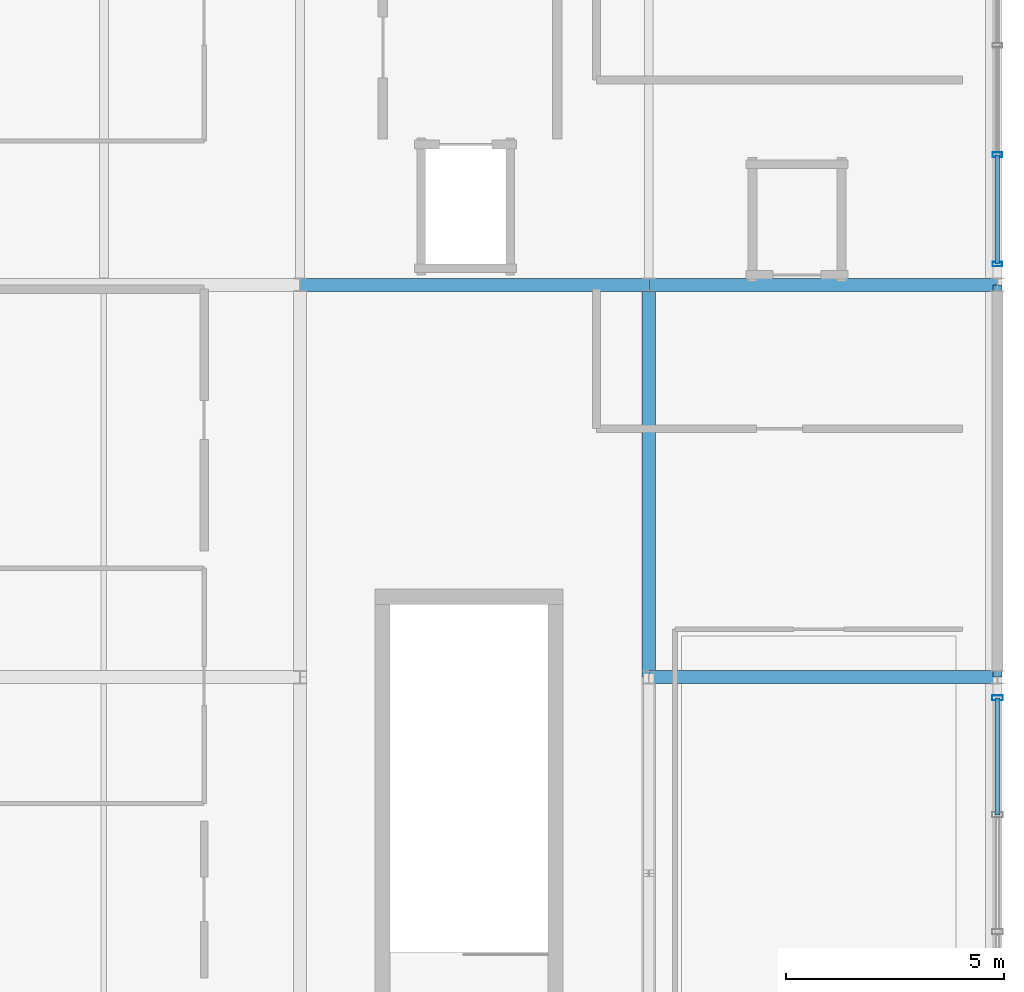
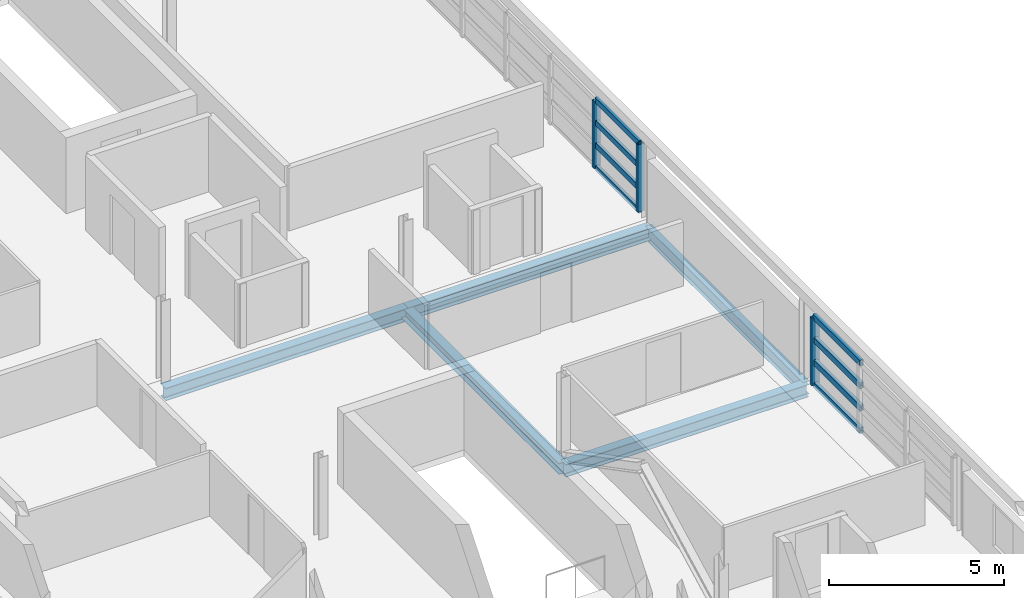
# One storey, part 11 of 27: 11 members, 5 beams, 2 elements without a shape of their own.
"""IFC4 building model written with IfcOpenShell, lengths in metres."""

from ifc_helpers import new_model, si_unit, direction, frame, origin, origin_2d, place, context, subcontext, project, spatial, hollow_rectangle, i_section, extrude, material, material_profile, profile_set, type_object, element, aggregate, save


model = new_model("IFC4")

# Units and contexts
model_context = context("Model", 3, precision=1e-05, world=origin(), true_north=direction((0.0, 1.0)))
body_context = subcontext(model_context, "Body", "Model", "MODEL_VIEW")
ifc_project = project(units=[si_unit("LENGTHUNIT", "METRE"), si_unit("AREAUNIT", "SQUARE_METRE"), si_unit("VOLUMEUNIT", "CUBIC_METRE"), si_unit("PLANEANGLEUNIT", "RADIAN"), si_unit("MASSUNIT", "GRAM", prefix="KILO")], contexts=[model_context])

# Site, building, storey
site_placement = place(None, origin())
site = spatial("IfcSite", under=ifc_project, at=site_placement, CompositionType="ELEMENT")
building_placement = place(site_placement, origin())
building = spatial("IfcBuilding", under=site, at=building_placement, Name="Chuanluo Vaults Station", CompositionType="ELEMENT")
storey_placement = place(building_placement, frame((0.0, 0.0, 20.800048828125)))
storey = spatial("IfcBuildingStorey", under=building, at=storey_placement, Name="L05", CompositionType="ELEMENT", Elevation=20.800048828125)

# Beams
ifc_material_1 = material(Name="Steel Q355C", Category="steel")
ifc_material_profile_1 = material_profile(ifc_material_1, i_section(OverallWidth=0.300048828125, OverallDepth=0.389892578125, WebThickness=0.010009765625, FlangeThickness=0.01611328125, FilletRadius=0.02001953125, at=origin_2d()))
ifc_profile_set_1 = profile_set([ifc_material_profile_1], Name="Steel Q355C")
beam_type_1 = type_object("IfcBeamType", Name="BM-GRD-400", PredefinedType="BEAM", material=ifc_profile_set_1)
beam_1_placement = place(storey_placement, frame((180.0, 94.5, -0.4150390625), z_axis=(0.0, 1.0, 0.0), x_axis=(-1.0, 0.0, 0.0)))
element("IfcBeam", 1, at=beam_1_placement, inside=storey, type_object=beam_type_1, Name="Floor girder BM:GY:L05:1008", PredefinedType="BEAM", context=body_context, shape_type="SweptSolid", body=[
    extrude(i_section(OverallWidth=0.300048828125, OverallDepth=0.389892578125, WebThickness=0.010009765625, FlangeThickness=0.01611328125, FilletRadius=0.02001953125, at=origin_2d()), origin(), (0.0, 0.0, 1.0), 9.0),
])
ifc_material_2 = material(Name="Steel Q355C", Category="steel")
ifc_material_profile_2 = material_profile(ifc_material_2, i_section(OverallWidth=0.300048828125, OverallDepth=0.43994140625, WebThickness=0.010986328125, FlangeThickness=0.01806640625, FilletRadius=0.02001953125, at=origin_2d()))
ifc_profile_set_2 = profile_set([ifc_material_profile_2], Name="Steel Q355C")
beam_type_2 = type_object("IfcBeamType", Name="BM-GRD-450", PredefinedType="USERDEFINED", material=ifc_profile_set_2)
for number, where, z_axis, x_axis, name in (
    (2, (180.0, 94.5, -0.43994140625), (1.0, 0.0, 0.0), (0.0, 1.0, 0.0), "Floor girder BM:GX:L05:0964"),
    (3, (172.0, 103.5, -0.43994140625), (1.0, 0.0, 0.0), (0.0, 1.0, 0.0), "Floor girder BM:GX:L05:0970"),
    (4, (180.0, 103.5, -0.43994140625), (1.0, 0.0, 0.0), (0.0, 1.0, 0.0), "Floor girder BM:GX:L05:0971"),
):
    element("IfcBeam", number, at=place(storey_placement, frame(where, z_axis=z_axis, x_axis=x_axis)), inside=storey, type_object=beam_type_2, Name=name, ObjectType="GIRDER", PredefinedType="USERDEFINED", context=body_context, shape_type="SweptSolid", body=[
        extrude(i_section(OverallWidth=0.300048828125, OverallDepth=0.43994140625, WebThickness=0.010986328125, FlangeThickness=0.01806640625, FilletRadius=0.02001953125, at=origin_2d()), origin(), (0.0, 0.0, 1.0), 8.0),
    ])
ifc_material_3 = material(Name="Steel Q355C", Category="steel")
ifc_material_profile_3 = material_profile(ifc_material_3, i_section(OverallWidth=0.205078125, OverallDepth=0.4599609375, WebThickness=0.009033203125, FlangeThickness=0.013916015625, FilletRadius=0.01611328125, at=origin_2d()))
ifc_profile_set_3 = profile_set([ifc_material_profile_3], Name="Steel Q355C")
beam_type_3 = type_object("IfcBeamType", Name="BM-SPN-450", PredefinedType="SPANDREL", material=ifc_profile_set_3)
beam_2_placement = place(storey_placement, frame((188.0, 94.5, -0.449951171875), z_axis=(0.0, 1.0, 0.0), x_axis=(-1.0, 0.0, 0.0)))
element("IfcBeam", 5, at=beam_2_placement, inside=storey, type_object=beam_type_3, Name="Floor girder BM:GY:L05:1013", PredefinedType="SPANDREL", context=body_context, shape_type="SweptSolid", body=[
    extrude(i_section(OverallWidth=0.205078125, OverallDepth=0.4599609375, WebThickness=0.009033203125, FlangeThickness=0.013916015625, FilletRadius=0.01611328125, at=origin_2d()), origin(), (0.0, 0.0, 1.0), 9.0),
])

# Curtain wall, members
ifc_material_4 = material(Name="Anodised aluminium 6063-T6", Category="aluminium")
curtain_wall_type_1 = type_object("IfcCurtainWallType", Name="CW-SYS-04", PredefinedType="NOTDEFINED", material=ifc_material_4)
curtain_wall_1_placement = place(storey_placement, origin())
curtain_wall_1 = element("IfcCurtainWall", 6, at=curtain_wall_1_placement, inside=storey, type_object=curtain_wall_type_1, Name="Operations L05 facade CW", PredefinedType="NOTDEFINED")
ifc_material_5 = material(Name="Anodised aluminium 6063-T6", Category="aluminium")
ifc_material_profile_4 = material_profile(ifc_material_5, hollow_rectangle(XDim=0.10498046875, YDim=0.219970703125, WallThickness=0.006103515625, at=origin_2d()))
ifc_profile_set_4 = profile_set([ifc_material_profile_4], Name="Anodised aluminium 6063-T6")
member_type_1 = type_object("IfcMemberType", Name="CWM-140", PredefinedType="MULLION", material=ifc_profile_set_4)
member_1_placement = place(storey_placement, frame((188.0, 106.485107421875, 0.0), z_axis=(0.0, 0.0, 1.0), x_axis=(0.0, -1.0, 0.0)))
member_1 = element("IfcMember", 7, at=member_1_placement, type_object=member_type_1, Name="Operations L05 facade CW mullion 5", PredefinedType="MULLION", context=body_context, shape_type="SweptSolid", body=[
    extrude(hollow_rectangle(XDim=0.10498046875, YDim=0.219970703125, WallThickness=0.006103515625, at=origin_2d()), origin(), (0.0, 0.0, 1.0), 2.349853515625),
])
member_2_placement = place(storey_placement, frame((188.0, 103.97509765625, 0.0), z_axis=(0.0, 0.0, 1.0), x_axis=(0.0, -1.0, 0.0)))
member_2 = element("IfcMember", 8, at=member_2_placement, type_object=member_type_1, Name="Operations L05 facade CW mullion 6", PredefinedType="MULLION", context=body_context, shape_type="SweptSolid", body=[
    extrude(hollow_rectangle(XDim=0.10498046875, YDim=0.219970703125, WallThickness=0.006103515625, at=origin_2d()), origin(), (0.0, 0.0, 1.0), 2.349853515625),
])

# Curtain wall, member
ifc_material_6 = material(Name="Anodised aluminium 6063-T6", Category="aluminium")
curtain_wall_type_2 = type_object("IfcCurtainWallType", Name="CW-SYS-03", PredefinedType="NOTDEFINED", material=ifc_material_6)
curtain_wall_2_placement = place(storey_placement, origin())
curtain_wall_2 = element("IfcCurtainWall", 9, at=curtain_wall_2_placement, inside=storey, type_object=curtain_wall_type_2, Name="Operations L05 facade CW", PredefinedType="NOTDEFINED")
ifc_material_7 = material(Name="Anodised aluminium 6063-T6", Category="aluminium")
ifc_material_profile_5 = material_profile(ifc_material_7, hollow_rectangle(XDim=0.1201171875, YDim=0.25, WallThickness=0.006103515625, at=origin_2d()))
ifc_profile_set_5 = profile_set([ifc_material_profile_5], Name="Anodised aluminium 6063-T6")
member_type_2 = type_object("IfcMemberType", Name="CWM-160", PredefinedType="MULLION", material=ifc_profile_set_5)
member_3_placement = place(storey_placement, frame((188.0, 94.02490234375, 0.0), z_axis=(0.0, 0.0, 1.0), x_axis=(0.0, -1.0, 0.0)))
member_3 = element("IfcMember", 10, at=member_3_placement, type_object=member_type_2, Name="Operations L05 facade CW mullion 1", PredefinedType="MULLION", context=body_context, shape_type="SweptSolid", body=[
    extrude(hollow_rectangle(XDim=0.1201171875, YDim=0.25, WallThickness=0.006103515625, at=origin_2d()), origin(), (0.0, 0.0, 1.0), 2.349853515625),
])

# Member
ifc_material_8 = material(Name="Anodised aluminium 6063-T6", Category="aluminium")
ifc_material_profile_6 = material_profile(ifc_material_8, hollow_rectangle(XDim=0.10498046875, YDim=0.18505859375, WallThickness=0.0048828125, at=origin_2d()))
ifc_profile_set_6 = profile_set([ifc_material_profile_6], Name="Anodised aluminium 6063-T6")
member_type_3 = type_object("IfcMemberType", Name="CWT-110", PredefinedType="USERDEFINED", material=ifc_profile_set_6)
member_4_placement = place(storey_placement, frame((188.0, 106.485107421875, 0.0), z_axis=(0.0, -1.0, 0.0), x_axis=(1.0, 0.0, 0.0)))
member_4 = element("IfcMember", 11, at=member_4_placement, type_object=member_type_3, Name="Operations L05 facade CW transom 5.1", ObjectType="TRANSOM", PredefinedType="USERDEFINED", context=body_context, shape_type="SweptSolid", body=[
    extrude(hollow_rectangle(XDim=0.10498046875, YDim=0.18505859375, WallThickness=0.0048828125, at=origin_2d()), origin(), (0.0, 0.0, 1.0), 2.510009765625),
])

member_5_placement = place(storey_placement, frame((188.0, 106.485107421875, 0.783203125), z_axis=(0.0, -1.0, 0.0), x_axis=(1.0, 0.0, 0.0)))
member_5 = element("IfcMember", 12, at=member_5_placement, type_object=member_type_3, Name="Operations L05 facade CW transom 5.2", ObjectType="TRANSOM", PredefinedType="USERDEFINED", context=body_context, shape_type="SweptSolid", body=[
    extrude(hollow_rectangle(XDim=0.10498046875, YDim=0.18505859375, WallThickness=0.0048828125, at=origin_2d()), origin(), (0.0, 0.0, 1.0), 2.510009765625),
])

member_6_placement = place(storey_placement, frame((188.0, 106.485107421875, 1.566650390625), z_axis=(0.0, -1.0, 0.0), x_axis=(1.0, 0.0, 0.0)))
member_6 = element("IfcMember", 13, at=member_6_placement, type_object=member_type_3, Name="Operations L05 facade CW transom 5.3", ObjectType="TRANSOM", PredefinedType="USERDEFINED", context=body_context, shape_type="SweptSolid", body=[
    extrude(hollow_rectangle(XDim=0.10498046875, YDim=0.18505859375, WallThickness=0.0048828125, at=origin_2d()), origin(), (0.0, 0.0, 1.0), 2.510009765625),
])

member_7_placement = place(storey_placement, frame((188.0, 106.485107421875, 2.349853515625), z_axis=(0.0, -1.0, 0.0), x_axis=(1.0, 0.0, 0.0)))
member_7 = element("IfcMember", 14, at=member_7_placement, type_object=member_type_3, Name="Operations L05 facade CW transom 5.4", ObjectType="TRANSOM", PredefinedType="USERDEFINED", context=body_context, shape_type="SweptSolid", body=[
    extrude(hollow_rectangle(XDim=0.10498046875, YDim=0.18505859375, WallThickness=0.0048828125, at=origin_2d()), origin(), (0.0, 0.0, 1.0), 2.510009765625),
])

aggregate(curtain_wall_1, [member_1, member_2, member_4, member_5, member_6, member_7])

ifc_material_9 = material(Name="Anodised aluminium 6063-T6", Category="aluminium")
ifc_material_profile_7 = material_profile(ifc_material_9, hollow_rectangle(XDim=0.1201171875, YDim=0.205078125, WallThickness=0.006103515625, at=origin_2d()))
ifc_profile_set_7 = profile_set([ifc_material_profile_7], Name="Anodised aluminium 6063-T6")
member_type_4 = type_object("IfcMemberType", Name="CWT-130", PredefinedType="USERDEFINED", material=ifc_profile_set_7)
member_8_placement = place(storey_placement, frame((188.0, 94.02490234375, 0.0), z_axis=(0.0, -1.0, 0.0), x_axis=(1.0, 0.0, 0.0)))
member_8 = element("IfcMember", 15, at=member_8_placement, type_object=member_type_4, Name="Operations L05 facade CW transom 1.1", ObjectType="TRANSOM", PredefinedType="USERDEFINED", context=body_context, shape_type="SweptSolid", body=[
    extrude(hollow_rectangle(XDim=0.1201171875, YDim=0.205078125, WallThickness=0.006103515625, at=origin_2d()), origin(), (0.0, 0.0, 1.0), 2.68310546875),
])

member_9_placement = place(storey_placement, frame((188.0, 94.02490234375, 0.783203125), z_axis=(0.0, -1.0, 0.0), x_axis=(1.0, 0.0, 0.0)))
member_9 = element("IfcMember", 16, at=member_9_placement, type_object=member_type_4, Name="Operations L05 facade CW transom 1.2", ObjectType="TRANSOM", PredefinedType="USERDEFINED", context=body_context, shape_type="SweptSolid", body=[
    extrude(hollow_rectangle(XDim=0.1201171875, YDim=0.205078125, WallThickness=0.006103515625, at=origin_2d()), origin(), (0.0, 0.0, 1.0), 2.68310546875),
])

member_10_placement = place(storey_placement, frame((188.0, 94.02490234375, 1.566650390625), z_axis=(0.0, -1.0, 0.0), x_axis=(1.0, 0.0, 0.0)))
member_10 = element("IfcMember", 17, at=member_10_placement, type_object=member_type_4, Name="Operations L05 facade CW transom 1.3", ObjectType="TRANSOM", PredefinedType="USERDEFINED", context=body_context, shape_type="SweptSolid", body=[
    extrude(hollow_rectangle(XDim=0.1201171875, YDim=0.205078125, WallThickness=0.006103515625, at=origin_2d()), origin(), (0.0, 0.0, 1.0), 2.68310546875),
])

member_11_placement = place(storey_placement, frame((188.0, 94.02490234375, 2.349853515625), z_axis=(0.0, -1.0, 0.0), x_axis=(1.0, 0.0, 0.0)))
member_11 = element("IfcMember", 18, at=member_11_placement, type_object=member_type_4, Name="Operations L05 facade CW transom 1.4", ObjectType="TRANSOM", PredefinedType="USERDEFINED", context=body_context, shape_type="SweptSolid", body=[
    extrude(hollow_rectangle(XDim=0.1201171875, YDim=0.205078125, WallThickness=0.006103515625, at=origin_2d()), origin(), (0.0, 0.0, 1.0), 2.68310546875),
])

aggregate(curtain_wall_2, [member_3, member_8, member_9, member_10, member_11])

save(model, "model.ifc")
